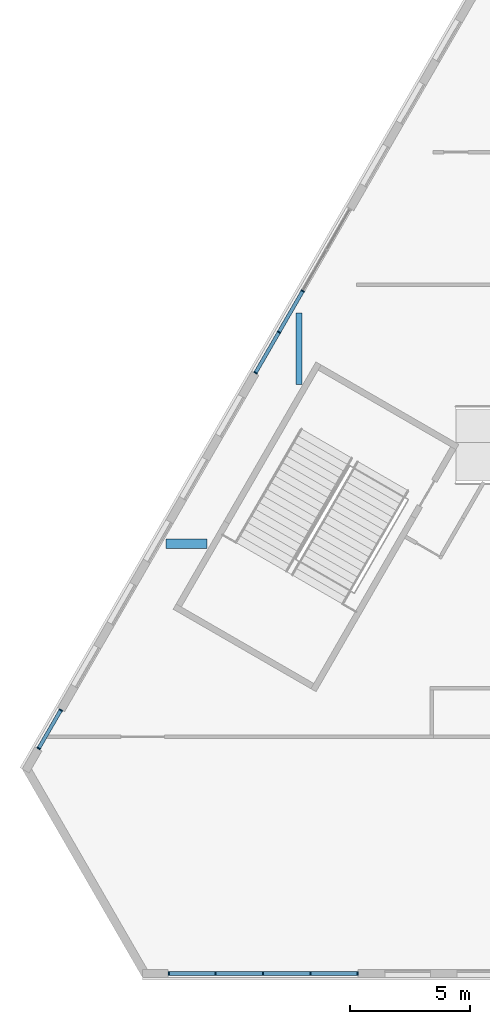
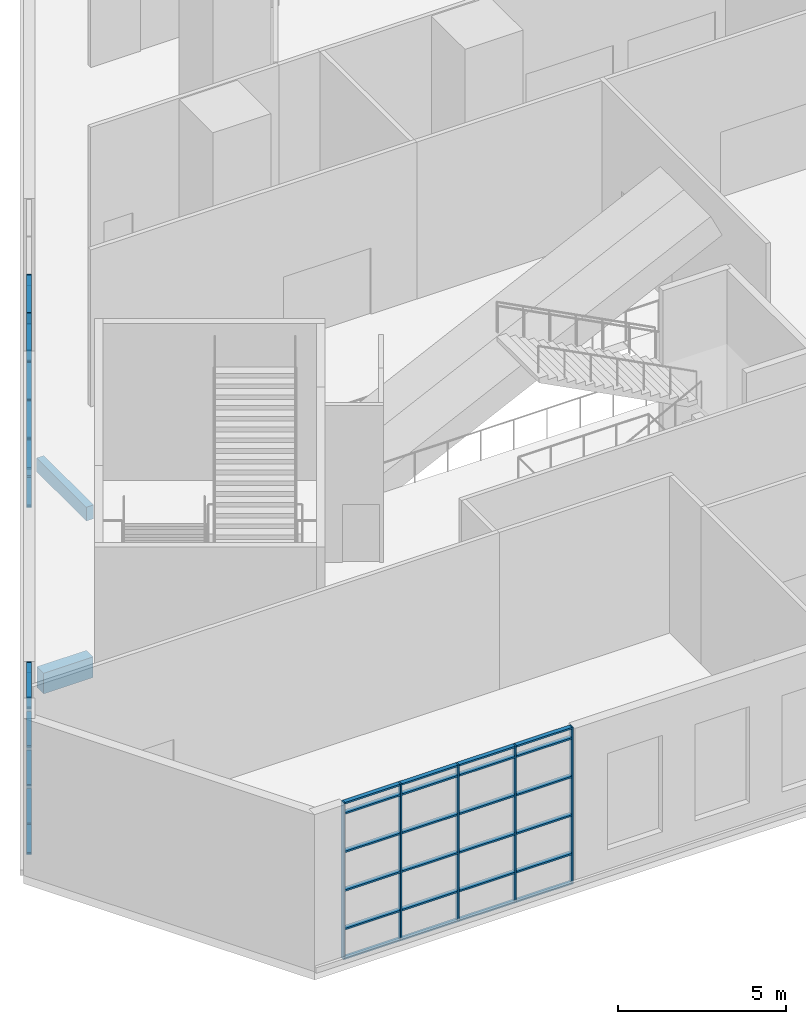
# One storey, part 2 of 27: 52 members, 2 beams, 3 elements without a shape of their own.
"""IFC4 building model written with IfcOpenShell, lengths in metres."""

from ifc_helpers import new_model, si_unit, direction, frame, origin, origin_2d, place, context, subcontext, project, spatial, rectangle, extrude, material, material_profile, profile_set, type_object, element, aggregate, save


model = new_model("IFC4")

# Units and contexts
model_context = context("Model", 3, precision=1e-05, world=origin(), true_north=direction((0.0, 1.0)))
body_context = subcontext(model_context, "Body", "Model", "MODEL_VIEW")
ifc_project = project(units=[si_unit("LENGTHUNIT", "METRE"), si_unit("AREAUNIT", "SQUARE_METRE"), si_unit("VOLUMEUNIT", "CUBIC_METRE"), si_unit("PLANEANGLEUNIT", "RADIAN"), si_unit("MASSUNIT", "GRAM", prefix="KILO")], contexts=[model_context])

# Site, building, storey
site_placement = place(None, origin())
site = spatial("IfcSite", under=ifc_project, at=site_placement, CompositionType="ELEMENT")
building_placement = place(site_placement, origin())
building = spatial("IfcBuilding", under=site, at=building_placement, Name="Fogline Exchange Tower", CompositionType="ELEMENT")
storey_placement = place(building_placement, frame((0.0, 0.0, 8.0)))
storey = spatial("IfcBuildingStorey", under=building, at=storey_placement, Name="L01", CompositionType="ELEMENT", Elevation=8.0)

# Beams
ifc_material_1 = material(Name="Concrete C40", Category="concrete")
ifc_material_profile_1 = material_profile(ifc_material_1, rectangle(XDim=0.39990234375, YDim=0.75, at=origin_2d()), Name="RC 400x750")
ifc_profile_set_1 = profile_set([ifc_material_profile_1], Name="Concrete C40")
beam_type_1 = type_object("IfcBeamType", Name="B05", PredefinedType="BEAM", material=ifc_profile_set_1)
beam_1_placement = place(storey_placement, frame((-37.0302734375, 18.0, -0.675048828125), z_axis=(1.0, 0.0, 0.0), x_axis=(0.0, 1.0, 0.0)))
element("IfcBeam", 1, at=beam_1_placement, inside=storey, type_object=beam_type_1, Name="GB003", PredefinedType="BEAM", context=body_context, shape_type="SweptSolid", body=[
    extrude(rectangle(XDim=0.39990234375, YDim=0.75, at=origin_2d()), origin(), (0.0, 0.0, 1.0), 1.702880859375),
])
ifc_material_profile_2 = material_profile(ifc_material_1, rectangle(XDim=0.25, YDim=0.5, at=origin_2d()), Name="RC 250x500")
ifc_profile_set_2 = profile_set([ifc_material_profile_2], Name="Concrete C40")
beam_type_2 = type_object("IfcBeamType", Name="B08", PredefinedType="BEAM", material=ifc_profile_set_2)
beam_2_placement = place(storey_placement, frame((-31.5, 24.619384765625, -0.550048828125), z_axis=(0.0, 1.0, 0.0), x_axis=(-1.0, 0.0, 0.0)))
element("IfcBeam", 2, at=beam_2_placement, inside=storey, type_object=beam_type_2, Name="SB006", PredefinedType="BEAM", context=body_context, shape_type="SweptSolid", body=[
    extrude(rectangle(XDim=0.25, YDim=0.5, at=origin_2d()), origin(), (0.0, 0.0, 1.0), 2.95947265625),
])

# Curtain wall, members
ifc_material_2 = material(Name="Aluminium and glass", Category="aluminium")
curtain_wall_type = type_object("IfcCurtainWallType", Name="CW3", PredefinedType="NOTDEFINED", material=ifc_material_2)
curtain_wall_1_placement = place(storey_placement, origin())
curtain_wall_1 = element("IfcCurtainWall", 3, at=curtain_wall_1_placement, inside=storey, type_object=curtain_wall_type, Name="CW3 L01 S run 1", PredefinedType="NOTDEFINED")
ifc_material_3 = material(Name="Aluminium", Category="aluminium")
ifc_material_profile_3 = material_profile(ifc_material_3, rectangle(XDim=0.14990234375, YDim=0.050048828125, at=origin_2d()), Name="Mullion 50x150")
ifc_profile_set_3 = profile_set([ifc_material_profile_3], Name="Aluminium")
member_type_1 = type_object("IfcMemberType", Name="CW3-M", PredefinedType="MULLION", material=ifc_profile_set_3)
member_1_placement = place(storey_placement, frame((-36.91748046875, 0.169921875, 0.0), z_axis=(0.0, 0.0, 1.0), x_axis=(0.0, 1.0, 0.0)))
member_1 = element("IfcMember", 4, at=member_1_placement, type_object=member_type_1, Name="CW3-P01-01 mullion 1", PredefinedType="MULLION", context=body_context, shape_type="SweptSolid", body=[
    extrude(rectangle(XDim=0.14990234375, YDim=0.050048828125, at=origin_2d()), origin(), (0.0, 0.0, 1.0), 5.699951171875),
])
member_2_placement = place(storey_placement, frame((-34.97119140625, 0.169921875, 0.0), z_axis=(0.0, 0.0, 1.0), x_axis=(0.0, 1.0, 0.0)))
member_2 = element("IfcMember", 5, at=member_2_placement, type_object=member_type_1, Name="CW3-P01-01 mullion 2", PredefinedType="MULLION", context=body_context, shape_type="SweptSolid", body=[
    extrude(rectangle(XDim=0.14990234375, YDim=0.050048828125, at=origin_2d()), origin(), (0.0, 0.0, 1.0), 5.699951171875),
])
member_3_placement = place(storey_placement, frame((-33.0, 0.169921875, 0.0), z_axis=(0.0, 0.0, 1.0), x_axis=(0.0, 1.0, 0.0)))
member_3 = element("IfcMember", 6, at=member_3_placement, type_object=member_type_1, Name="CW3-P01-01 mullion 3", PredefinedType="MULLION", context=body_context, shape_type="SweptSolid", body=[
    extrude(rectangle(XDim=0.14990234375, YDim=0.050048828125, at=origin_2d()), origin(), (0.0, 0.0, 1.0), 5.699951171875),
])
member_4_placement = place(storey_placement, frame((-31.02880859375, 0.169921875, 0.0), z_axis=(0.0, 0.0, 1.0), x_axis=(0.0, 1.0, 0.0)))
member_4 = element("IfcMember", 7, at=member_4_placement, type_object=member_type_1, Name="CW3-P01-01 mullion 4", PredefinedType="MULLION", context=body_context, shape_type="SweptSolid", body=[
    extrude(rectangle(XDim=0.14990234375, YDim=0.050048828125, at=origin_2d()), origin(), (0.0, 0.0, 1.0), 5.699951171875),
])
member_5_placement = place(storey_placement, frame((-29.08251953125, 0.169921875, 0.0), z_axis=(0.0, 0.0, 1.0), x_axis=(0.0, 1.0, 0.0)))
member_5 = element("IfcMember", 8, at=member_5_placement, type_object=member_type_1, Name="CW3-P01-01 mullion 5", PredefinedType="MULLION", context=body_context, shape_type="SweptSolid", body=[
    extrude(rectangle(XDim=0.14990234375, YDim=0.050048828125, at=origin_2d()), origin(), (0.0, 0.0, 1.0), 5.699951171875),
])

curtain_wall_2_placement = place(storey_placement, origin())
curtain_wall_2 = element("IfcCurtainWall", 9, at=curtain_wall_2_placement, inside=storey, type_object=curtain_wall_type, Name="CW3 L01 W run 3", PredefinedType="NOTDEFINED")
member_6_placement = place(storey_placement, frame((-31.352783203125, 28.493896484375, 0.0), z_axis=(0.0, 0.0, 1.0), x_axis=(0.866025393993, -0.500000016959, 0.0)))
member_6 = element("IfcMember", 10, at=member_6_placement, type_object=member_type_1, Name="CW3-P01-10 mullion 3", PredefinedType="MULLION", context=body_context, shape_type="SweptSolid", body=[
    extrude(rectangle(XDim=0.14990234375, YDim=0.050048828125, at=origin_2d()), origin(), (0.0, 0.0, 1.0), 5.699951171875),
])
member_7_placement = place(storey_placement, frame((-32.33837890625, 26.78662109375, 0.0), z_axis=(0.0, 0.0, 1.0), x_axis=(0.866025393993, -0.500000016959, 0.0)))
member_7 = element("IfcMember", 11, at=member_7_placement, type_object=member_type_1, Name="CW3-P01-10 mullion 4", PredefinedType="MULLION", context=body_context, shape_type="SweptSolid", body=[
    extrude(rectangle(XDim=0.14990234375, YDim=0.050048828125, at=origin_2d()), origin(), (0.0, 0.0, 1.0), 5.699951171875),
])
member_8_placement = place(storey_placement, frame((-33.3115234375, 25.10107421875, 0.0), z_axis=(0.0, 0.0, 1.0), x_axis=(0.866025393993, -0.500000016959, 0.0)))
member_8 = element("IfcMember", 12, at=member_8_placement, type_object=member_type_1, Name="CW3-P01-10 mullion 5", PredefinedType="MULLION", context=body_context, shape_type="SweptSolid", body=[
    extrude(rectangle(XDim=0.14990234375, YDim=0.050048828125, at=origin_2d()), origin(), (0.0, 0.0, 1.0), 5.699951171875),
])

curtain_wall_3_placement = place(storey_placement, origin())
curtain_wall_3 = element("IfcCurtainWall", 13, at=curtain_wall_3_placement, inside=storey, type_object=curtain_wall_type, Name="CW3 L01 W run 4", PredefinedType="NOTDEFINED")
member_9_placement = place(storey_placement, frame((-41.39404296875, 11.101806640625, 0.0), z_axis=(0.0, 0.0, 1.0), x_axis=(0.866024357877, -0.500001811561, 0.0)))
member_9 = element("IfcMember", 14, at=member_9_placement, type_object=member_type_1, Name="CW3-P01-11 mullion 1", PredefinedType="MULLION", context=body_context, shape_type="SweptSolid", body=[
    extrude(rectangle(XDim=0.14990234375, YDim=0.050048828125, at=origin_2d()), origin(), (0.0, 0.0, 1.0), 5.699951171875),
])
member_10_placement = place(storey_placement, frame((-42.3115234375, 9.5126953125, 0.0), z_axis=(0.0, 0.0, 1.0), x_axis=(0.866024357877, -0.500001811561, 0.0)))
member_10 = element("IfcMember", 15, at=member_10_placement, type_object=member_type_1, Name="CW3-P01-11 mullion 2", PredefinedType="MULLION", context=body_context, shape_type="SweptSolid", body=[
    extrude(rectangle(XDim=0.14990234375, YDim=0.050048828125, at=origin_2d()), origin(), (0.0, 0.0, 1.0), 5.699951171875),
])

# Member
ifc_material_profile_4 = material_profile(ifc_material_3, rectangle(XDim=0.14990234375, YDim=0.06005859375, at=origin_2d()), Name="Transom 60x150")
ifc_profile_set_4 = profile_set([ifc_material_profile_4], Name="Aluminium")
member_type_2 = type_object("IfcMemberType", Name="CW3-T", PredefinedType="USERDEFINED", material=ifc_profile_set_4)
member_11_placement = place(storey_placement, frame((-36.892578125, 0.169921875, 0.030029296875), z_axis=(1.0, 0.0, 0.0), x_axis=(0.0, 1.0, 0.0)))
member_11 = element("IfcMember", 16, at=member_11_placement, type_object=member_type_2, Name="CW3-P01-01 transom 1.1", ObjectType="TRANSOM", PredefinedType="USERDEFINED", context=body_context, shape_type="SweptSolid", body=[
    extrude(rectangle(XDim=0.14990234375, YDim=0.06005859375, at=origin_2d()), origin(), (0.0, 0.0, 1.0), 1.896240234375),
])

member_12_placement = place(storey_placement, frame((-36.892578125, 0.169921875, 1.10009765625), z_axis=(1.0, 0.0, 0.0), x_axis=(0.0, 1.0, 0.0)))
member_12 = element("IfcMember", 17, at=member_12_placement, type_object=member_type_2, Name="CW3-P01-01 transom 1.2", ObjectType="TRANSOM", PredefinedType="USERDEFINED", context=body_context, shape_type="SweptSolid", body=[
    extrude(rectangle(XDim=0.14990234375, YDim=0.06005859375, at=origin_2d()), origin(), (0.0, 0.0, 1.0), 1.896240234375),
])

member_13_placement = place(storey_placement, frame((-36.892578125, 0.169921875, 2.5), z_axis=(1.0, 0.0, 0.0), x_axis=(0.0, 1.0, 0.0)))
member_13 = element("IfcMember", 18, at=member_13_placement, type_object=member_type_2, Name="CW3-P01-01 transom 1.3", ObjectType="TRANSOM", PredefinedType="USERDEFINED", context=body_context, shape_type="SweptSolid", body=[
    extrude(rectangle(XDim=0.14990234375, YDim=0.06005859375, at=origin_2d()), origin(), (0.0, 0.0, 1.0), 1.896240234375),
])

member_14_placement = place(storey_placement, frame((-36.892578125, 0.169921875, 3.89990234375), z_axis=(1.0, 0.0, 0.0), x_axis=(0.0, 1.0, 0.0)))
member_14 = element("IfcMember", 19, at=member_14_placement, type_object=member_type_2, Name="CW3-P01-01 transom 1.4", ObjectType="TRANSOM", PredefinedType="USERDEFINED", context=body_context, shape_type="SweptSolid", body=[
    extrude(rectangle(XDim=0.14990234375, YDim=0.06005859375, at=origin_2d()), origin(), (0.0, 0.0, 1.0), 1.896240234375),
])

member_15_placement = place(storey_placement, frame((-36.892578125, 0.169921875, 5.300048828125), z_axis=(1.0, 0.0, 0.0), x_axis=(0.0, 1.0, 0.0)))
member_15 = element("IfcMember", 20, at=member_15_placement, type_object=member_type_2, Name="CW3-P01-01 transom 1.5", ObjectType="TRANSOM", PredefinedType="USERDEFINED", context=body_context, shape_type="SweptSolid", body=[
    extrude(rectangle(XDim=0.14990234375, YDim=0.06005859375, at=origin_2d()), origin(), (0.0, 0.0, 1.0), 1.896240234375),
])

member_16_placement = place(storey_placement, frame((-36.892578125, 0.169921875, 5.669921875), z_axis=(1.0, 0.0, 0.0), x_axis=(0.0, 1.0, 0.0)))
member_16 = element("IfcMember", 21, at=member_16_placement, type_object=member_type_2, Name="CW3-P01-01 transom 1.6", ObjectType="TRANSOM", PredefinedType="USERDEFINED", context=body_context, shape_type="SweptSolid", body=[
    extrude(rectangle(XDim=0.14990234375, YDim=0.06005859375, at=origin_2d()), origin(), (0.0, 0.0, 1.0), 1.896240234375),
])

member_17_placement = place(storey_placement, frame((-34.9462890625, 0.169921875, 0.030029296875), z_axis=(1.0, 0.0, 0.0), x_axis=(0.0, 1.0, 0.0)))
member_17 = element("IfcMember", 22, at=member_17_placement, type_object=member_type_2, Name="CW3-P01-01 transom 2.1", ObjectType="TRANSOM", PredefinedType="USERDEFINED", context=body_context, shape_type="SweptSolid", body=[
    extrude(rectangle(XDim=0.14990234375, YDim=0.06005859375, at=origin_2d()), origin(), (0.0, 0.0, 1.0), 1.92138671875),
])

member_18_placement = place(storey_placement, frame((-34.9462890625, 0.169921875, 1.10009765625), z_axis=(1.0, 0.0, 0.0), x_axis=(0.0, 1.0, 0.0)))
member_18 = element("IfcMember", 23, at=member_18_placement, type_object=member_type_2, Name="CW3-P01-01 transom 2.2", ObjectType="TRANSOM", PredefinedType="USERDEFINED", context=body_context, shape_type="SweptSolid", body=[
    extrude(rectangle(XDim=0.14990234375, YDim=0.06005859375, at=origin_2d()), origin(), (0.0, 0.0, 1.0), 1.92138671875),
])

member_19_placement = place(storey_placement, frame((-34.9462890625, 0.169921875, 2.5), z_axis=(1.0, 0.0, 0.0), x_axis=(0.0, 1.0, 0.0)))
member_19 = element("IfcMember", 24, at=member_19_placement, type_object=member_type_2, Name="CW3-P01-01 transom 2.3", ObjectType="TRANSOM", PredefinedType="USERDEFINED", context=body_context, shape_type="SweptSolid", body=[
    extrude(rectangle(XDim=0.14990234375, YDim=0.06005859375, at=origin_2d()), origin(), (0.0, 0.0, 1.0), 1.92138671875),
])

member_20_placement = place(storey_placement, frame((-34.9462890625, 0.169921875, 3.89990234375), z_axis=(1.0, 0.0, 0.0), x_axis=(0.0, 1.0, 0.0)))
member_20 = element("IfcMember", 25, at=member_20_placement, type_object=member_type_2, Name="CW3-P01-01 transom 2.4", ObjectType="TRANSOM", PredefinedType="USERDEFINED", context=body_context, shape_type="SweptSolid", body=[
    extrude(rectangle(XDim=0.14990234375, YDim=0.06005859375, at=origin_2d()), origin(), (0.0, 0.0, 1.0), 1.92138671875),
])

member_21_placement = place(storey_placement, frame((-34.9462890625, 0.169921875, 5.300048828125), z_axis=(1.0, 0.0, 0.0), x_axis=(0.0, 1.0, 0.0)))
member_21 = element("IfcMember", 26, at=member_21_placement, type_object=member_type_2, Name="CW3-P01-01 transom 2.5", ObjectType="TRANSOM", PredefinedType="USERDEFINED", context=body_context, shape_type="SweptSolid", body=[
    extrude(rectangle(XDim=0.14990234375, YDim=0.06005859375, at=origin_2d()), origin(), (0.0, 0.0, 1.0), 1.92138671875),
])

member_22_placement = place(storey_placement, frame((-34.9462890625, 0.169921875, 5.669921875), z_axis=(1.0, 0.0, 0.0), x_axis=(0.0, 1.0, 0.0)))
member_22 = element("IfcMember", 27, at=member_22_placement, type_object=member_type_2, Name="CW3-P01-01 transom 2.6", ObjectType="TRANSOM", PredefinedType="USERDEFINED", context=body_context, shape_type="SweptSolid", body=[
    extrude(rectangle(XDim=0.14990234375, YDim=0.06005859375, at=origin_2d()), origin(), (0.0, 0.0, 1.0), 1.92138671875),
])

member_23_placement = place(storey_placement, frame((-32.97509765625, 0.169921875, 0.030029296875), z_axis=(1.0, 0.0, 0.0), x_axis=(0.0, 1.0, 0.0)))
member_23 = element("IfcMember", 28, at=member_23_placement, type_object=member_type_2, Name="CW3-P01-01 transom 3.1", ObjectType="TRANSOM", PredefinedType="USERDEFINED", context=body_context, shape_type="SweptSolid", body=[
    extrude(rectangle(XDim=0.14990234375, YDim=0.06005859375, at=origin_2d()), origin(), (0.0, 0.0, 1.0), 1.92138671875),
])

member_24_placement = place(storey_placement, frame((-32.97509765625, 0.169921875, 1.10009765625), z_axis=(1.0, 0.0, 0.0), x_axis=(0.0, 1.0, 0.0)))
member_24 = element("IfcMember", 29, at=member_24_placement, type_object=member_type_2, Name="CW3-P01-01 transom 3.2", ObjectType="TRANSOM", PredefinedType="USERDEFINED", context=body_context, shape_type="SweptSolid", body=[
    extrude(rectangle(XDim=0.14990234375, YDim=0.06005859375, at=origin_2d()), origin(), (0.0, 0.0, 1.0), 1.92138671875),
])

member_25_placement = place(storey_placement, frame((-32.97509765625, 0.169921875, 2.5), z_axis=(1.0, 0.0, 0.0), x_axis=(0.0, 1.0, 0.0)))
member_25 = element("IfcMember", 30, at=member_25_placement, type_object=member_type_2, Name="CW3-P01-01 transom 3.3", ObjectType="TRANSOM", PredefinedType="USERDEFINED", context=body_context, shape_type="SweptSolid", body=[
    extrude(rectangle(XDim=0.14990234375, YDim=0.06005859375, at=origin_2d()), origin(), (0.0, 0.0, 1.0), 1.92138671875),
])

member_26_placement = place(storey_placement, frame((-32.97509765625, 0.169921875, 3.89990234375), z_axis=(1.0, 0.0, 0.0), x_axis=(0.0, 1.0, 0.0)))
member_26 = element("IfcMember", 31, at=member_26_placement, type_object=member_type_2, Name="CW3-P01-01 transom 3.4", ObjectType="TRANSOM", PredefinedType="USERDEFINED", context=body_context, shape_type="SweptSolid", body=[
    extrude(rectangle(XDim=0.14990234375, YDim=0.06005859375, at=origin_2d()), origin(), (0.0, 0.0, 1.0), 1.92138671875),
])

member_27_placement = place(storey_placement, frame((-32.97509765625, 0.169921875, 5.300048828125), z_axis=(1.0, 0.0, 0.0), x_axis=(0.0, 1.0, 0.0)))
member_27 = element("IfcMember", 32, at=member_27_placement, type_object=member_type_2, Name="CW3-P01-01 transom 3.5", ObjectType="TRANSOM", PredefinedType="USERDEFINED", context=body_context, shape_type="SweptSolid", body=[
    extrude(rectangle(XDim=0.14990234375, YDim=0.06005859375, at=origin_2d()), origin(), (0.0, 0.0, 1.0), 1.92138671875),
])

member_28_placement = place(storey_placement, frame((-32.97509765625, 0.169921875, 5.669921875), z_axis=(1.0, 0.0, 0.0), x_axis=(0.0, 1.0, 0.0)))
member_28 = element("IfcMember", 33, at=member_28_placement, type_object=member_type_2, Name="CW3-P01-01 transom 3.6", ObjectType="TRANSOM", PredefinedType="USERDEFINED", context=body_context, shape_type="SweptSolid", body=[
    extrude(rectangle(XDim=0.14990234375, YDim=0.06005859375, at=origin_2d()), origin(), (0.0, 0.0, 1.0), 1.92138671875),
])

member_29_placement = place(storey_placement, frame((-31.003662109375, 0.169921875, 0.030029296875), z_axis=(1.0, 0.0, 0.0), x_axis=(0.0, 1.0, 0.0)))
member_29 = element("IfcMember", 34, at=member_29_placement, type_object=member_type_2, Name="CW3-P01-01 transom 4.1", ObjectType="TRANSOM", PredefinedType="USERDEFINED", context=body_context, shape_type="SweptSolid", body=[
    extrude(rectangle(XDim=0.14990234375, YDim=0.06005859375, at=origin_2d()), origin(), (0.0, 0.0, 1.0), 1.896240234375),
])

member_30_placement = place(storey_placement, frame((-31.003662109375, 0.169921875, 1.10009765625), z_axis=(1.0, 0.0, 0.0), x_axis=(0.0, 1.0, 0.0)))
member_30 = element("IfcMember", 35, at=member_30_placement, type_object=member_type_2, Name="CW3-P01-01 transom 4.2", ObjectType="TRANSOM", PredefinedType="USERDEFINED", context=body_context, shape_type="SweptSolid", body=[
    extrude(rectangle(XDim=0.14990234375, YDim=0.06005859375, at=origin_2d()), origin(), (0.0, 0.0, 1.0), 1.896240234375),
])

member_31_placement = place(storey_placement, frame((-31.003662109375, 0.169921875, 2.5), z_axis=(1.0, 0.0, 0.0), x_axis=(0.0, 1.0, 0.0)))
member_31 = element("IfcMember", 36, at=member_31_placement, type_object=member_type_2, Name="CW3-P01-01 transom 4.3", ObjectType="TRANSOM", PredefinedType="USERDEFINED", context=body_context, shape_type="SweptSolid", body=[
    extrude(rectangle(XDim=0.14990234375, YDim=0.06005859375, at=origin_2d()), origin(), (0.0, 0.0, 1.0), 1.896240234375),
])

member_32_placement = place(storey_placement, frame((-31.003662109375, 0.169921875, 3.89990234375), z_axis=(1.0, 0.0, 0.0), x_axis=(0.0, 1.0, 0.0)))
member_32 = element("IfcMember", 37, at=member_32_placement, type_object=member_type_2, Name="CW3-P01-01 transom 4.4", ObjectType="TRANSOM", PredefinedType="USERDEFINED", context=body_context, shape_type="SweptSolid", body=[
    extrude(rectangle(XDim=0.14990234375, YDim=0.06005859375, at=origin_2d()), origin(), (0.0, 0.0, 1.0), 1.896240234375),
])

member_33_placement = place(storey_placement, frame((-31.003662109375, 0.169921875, 5.300048828125), z_axis=(1.0, 0.0, 0.0), x_axis=(0.0, 1.0, 0.0)))
member_33 = element("IfcMember", 38, at=member_33_placement, type_object=member_type_2, Name="CW3-P01-01 transom 4.5", ObjectType="TRANSOM", PredefinedType="USERDEFINED", context=body_context, shape_type="SweptSolid", body=[
    extrude(rectangle(XDim=0.14990234375, YDim=0.06005859375, at=origin_2d()), origin(), (0.0, 0.0, 1.0), 1.896240234375),
])

member_34_placement = place(storey_placement, frame((-31.003662109375, 0.169921875, 5.669921875), z_axis=(1.0, 0.0, 0.0), x_axis=(0.0, 1.0, 0.0)))
member_34 = element("IfcMember", 39, at=member_34_placement, type_object=member_type_2, Name="CW3-P01-01 transom 4.6", ObjectType="TRANSOM", PredefinedType="USERDEFINED", context=body_context, shape_type="SweptSolid", body=[
    extrude(rectangle(XDim=0.14990234375, YDim=0.06005859375, at=origin_2d()), origin(), (0.0, 0.0, 1.0), 1.896240234375),
])

aggregate(curtain_wall_1, [member_1, member_2, member_3, member_4, member_5, member_11, member_12, member_13, member_14, member_15, member_16, member_17, member_18, member_19, member_20, member_21, member_22, member_23, member_24, member_25, member_26, member_27, member_28, member_29, member_30, member_31, member_32, member_33, member_34])

member_35_placement = place(storey_placement, frame((-31.365234375, 28.47216796875, 0.030029296875), z_axis=(-0.500034110783, -0.866005709019, 0.0), x_axis=(0.866005709019, -0.500034110783, 0.0)))
member_35 = element("IfcMember", 40, at=member_35_placement, type_object=member_type_2, Name="CW3-P01-10 transom 3.1", ObjectType="TRANSOM", PredefinedType="USERDEFINED", context=body_context, shape_type="SweptSolid", body=[
    extrude(rectangle(XDim=0.14990234375, YDim=0.06005859375, at=origin_2d()), origin(), (0.0, 0.0, 1.0), 1.921142578125),
])

member_36_placement = place(storey_placement, frame((-31.365234375, 28.47216796875, 1.10009765625), z_axis=(-0.500034110783, -0.866005709019, 0.0), x_axis=(0.866005709019, -0.500034110783, 0.0)))
member_36 = element("IfcMember", 41, at=member_36_placement, type_object=member_type_2, Name="CW3-P01-10 transom 3.2", ObjectType="TRANSOM", PredefinedType="USERDEFINED", context=body_context, shape_type="SweptSolid", body=[
    extrude(rectangle(XDim=0.14990234375, YDim=0.06005859375, at=origin_2d()), origin(), (0.0, 0.0, 1.0), 1.921142578125),
])

member_37_placement = place(storey_placement, frame((-31.365234375, 28.47216796875, 2.5), z_axis=(-0.500034110783, -0.866005709019, 0.0), x_axis=(0.866005709019, -0.500034110783, 0.0)))
member_37 = element("IfcMember", 42, at=member_37_placement, type_object=member_type_2, Name="CW3-P01-10 transom 3.3", ObjectType="TRANSOM", PredefinedType="USERDEFINED", context=body_context, shape_type="SweptSolid", body=[
    extrude(rectangle(XDim=0.14990234375, YDim=0.06005859375, at=origin_2d()), origin(), (0.0, 0.0, 1.0), 1.921142578125),
])

member_38_placement = place(storey_placement, frame((-31.365234375, 28.47216796875, 3.89990234375), z_axis=(-0.500034110783, -0.866005709019, 0.0), x_axis=(0.866005709019, -0.500034110783, 0.0)))
member_38 = element("IfcMember", 43, at=member_38_placement, type_object=member_type_2, Name="CW3-P01-10 transom 3.4", ObjectType="TRANSOM", PredefinedType="USERDEFINED", context=body_context, shape_type="SweptSolid", body=[
    extrude(rectangle(XDim=0.14990234375, YDim=0.06005859375, at=origin_2d()), origin(), (0.0, 0.0, 1.0), 1.921142578125),
])

member_39_placement = place(storey_placement, frame((-31.365234375, 28.47216796875, 5.300048828125), z_axis=(-0.500034110783, -0.866005709019, 0.0), x_axis=(0.866005709019, -0.500034110783, 0.0)))
member_39 = element("IfcMember", 44, at=member_39_placement, type_object=member_type_2, Name="CW3-P01-10 transom 3.5", ObjectType="TRANSOM", PredefinedType="USERDEFINED", context=body_context, shape_type="SweptSolid", body=[
    extrude(rectangle(XDim=0.14990234375, YDim=0.06005859375, at=origin_2d()), origin(), (0.0, 0.0, 1.0), 1.921142578125),
])

member_40_placement = place(storey_placement, frame((-31.365234375, 28.47216796875, 5.669921875), z_axis=(-0.500034110783, -0.866005709019, 0.0), x_axis=(0.866005709019, -0.500034110783, 0.0)))
member_40 = element("IfcMember", 45, at=member_40_placement, type_object=member_type_2, Name="CW3-P01-10 transom 3.6", ObjectType="TRANSOM", PredefinedType="USERDEFINED", context=body_context, shape_type="SweptSolid", body=[
    extrude(rectangle(XDim=0.14990234375, YDim=0.06005859375, at=origin_2d()), origin(), (0.0, 0.0, 1.0), 1.921142578125),
])

member_41_placement = place(storey_placement, frame((-32.350830078125, 26.76513671875, 0.030029296875), z_axis=(-0.500015905979, -0.866016220268, 0.0), x_axis=(0.866016220268, -0.500015905979, 0.0)))
member_41 = element("IfcMember", 46, at=member_41_placement, type_object=member_type_2, Name="CW3-P01-10 transom 4.1", ObjectType="TRANSOM", PredefinedType="USERDEFINED", context=body_context, shape_type="SweptSolid", body=[
    extrude(rectangle(XDim=0.14990234375, YDim=0.06005859375, at=origin_2d()), origin(), (0.0, 0.0, 1.0), 1.896484375),
])

member_42_placement = place(storey_placement, frame((-32.350830078125, 26.76513671875, 1.10009765625), z_axis=(-0.500015905979, -0.866016220268, 0.0), x_axis=(0.866016220268, -0.500015905979, 0.0)))
member_42 = element("IfcMember", 47, at=member_42_placement, type_object=member_type_2, Name="CW3-P01-10 transom 4.2", ObjectType="TRANSOM", PredefinedType="USERDEFINED", context=body_context, shape_type="SweptSolid", body=[
    extrude(rectangle(XDim=0.14990234375, YDim=0.06005859375, at=origin_2d()), origin(), (0.0, 0.0, 1.0), 1.896484375),
])

member_43_placement = place(storey_placement, frame((-32.350830078125, 26.76513671875, 2.5), z_axis=(-0.500015905979, -0.866016220268, 0.0), x_axis=(0.866016220268, -0.500015905979, 0.0)))
member_43 = element("IfcMember", 48, at=member_43_placement, type_object=member_type_2, Name="CW3-P01-10 transom 4.3", ObjectType="TRANSOM", PredefinedType="USERDEFINED", context=body_context, shape_type="SweptSolid", body=[
    extrude(rectangle(XDim=0.14990234375, YDim=0.06005859375, at=origin_2d()), origin(), (0.0, 0.0, 1.0), 1.896484375),
])

member_44_placement = place(storey_placement, frame((-32.350830078125, 26.76513671875, 3.89990234375), z_axis=(-0.500015905979, -0.866016220268, 0.0), x_axis=(0.866016220268, -0.500015905979, 0.0)))
member_44 = element("IfcMember", 49, at=member_44_placement, type_object=member_type_2, Name="CW3-P01-10 transom 4.4", ObjectType="TRANSOM", PredefinedType="USERDEFINED", context=body_context, shape_type="SweptSolid", body=[
    extrude(rectangle(XDim=0.14990234375, YDim=0.06005859375, at=origin_2d()), origin(), (0.0, 0.0, 1.0), 1.896484375),
])

member_45_placement = place(storey_placement, frame((-32.350830078125, 26.76513671875, 5.300048828125), z_axis=(-0.500015905979, -0.866016220268, 0.0), x_axis=(0.866016220268, -0.500015905979, 0.0)))
member_45 = element("IfcMember", 50, at=member_45_placement, type_object=member_type_2, Name="CW3-P01-10 transom 4.5", ObjectType="TRANSOM", PredefinedType="USERDEFINED", context=body_context, shape_type="SweptSolid", body=[
    extrude(rectangle(XDim=0.14990234375, YDim=0.06005859375, at=origin_2d()), origin(), (0.0, 0.0, 1.0), 1.896484375),
])

member_46_placement = place(storey_placement, frame((-32.350830078125, 26.76513671875, 5.669921875), z_axis=(-0.500015905979, -0.866016220268, 0.0), x_axis=(0.866016220268, -0.500015905979, 0.0)))
member_46 = element("IfcMember", 51, at=member_46_placement, type_object=member_type_2, Name="CW3-P01-10 transom 4.6", ObjectType="TRANSOM", PredefinedType="USERDEFINED", context=body_context, shape_type="SweptSolid", body=[
    extrude(rectangle(XDim=0.14990234375, YDim=0.06005859375, at=origin_2d()), origin(), (0.0, 0.0, 1.0), 1.896484375),
])

aggregate(curtain_wall_2, [member_6, member_7, member_8, member_35, member_36, member_37, member_38, member_39, member_40, member_41, member_42, member_43, member_44, member_45, member_46])

member_47_placement = place(storey_placement, frame((-41.406494140625, 11.080322265625, 0.030029296875), z_axis=(-0.500022371132, -0.86601248742, 0.0), x_axis=(0.86601248742, -0.500022371132, 0.0)))
member_47 = element("IfcMember", 52, at=member_47_placement, type_object=member_type_2, Name="CW3-P01-11 transom 1.1", ObjectType="TRANSOM", PredefinedType="USERDEFINED", context=body_context, shape_type="SweptSolid", body=[
    extrude(rectangle(XDim=0.14990234375, YDim=0.06005859375, at=origin_2d()), origin(), (0.0, 0.0, 1.0), 1.78515625),
])

member_48_placement = place(storey_placement, frame((-41.406494140625, 11.080322265625, 1.10009765625), z_axis=(-0.500022371132, -0.86601248742, 0.0), x_axis=(0.86601248742, -0.500022371132, 0.0)))
member_48 = element("IfcMember", 53, at=member_48_placement, type_object=member_type_2, Name="CW3-P01-11 transom 1.2", ObjectType="TRANSOM", PredefinedType="USERDEFINED", context=body_context, shape_type="SweptSolid", body=[
    extrude(rectangle(XDim=0.14990234375, YDim=0.06005859375, at=origin_2d()), origin(), (0.0, 0.0, 1.0), 1.78515625),
])

member_49_placement = place(storey_placement, frame((-41.406494140625, 11.080322265625, 2.5), z_axis=(-0.500022371132, -0.86601248742, 0.0), x_axis=(0.86601248742, -0.500022371132, 0.0)))
member_49 = element("IfcMember", 54, at=member_49_placement, type_object=member_type_2, Name="CW3-P01-11 transom 1.3", ObjectType="TRANSOM", PredefinedType="USERDEFINED", context=body_context, shape_type="SweptSolid", body=[
    extrude(rectangle(XDim=0.14990234375, YDim=0.06005859375, at=origin_2d()), origin(), (0.0, 0.0, 1.0), 1.78515625),
])

member_50_placement = place(storey_placement, frame((-41.406494140625, 11.080322265625, 3.89990234375), z_axis=(-0.500022371132, -0.86601248742, 0.0), x_axis=(0.86601248742, -0.500022371132, 0.0)))
member_50 = element("IfcMember", 55, at=member_50_placement, type_object=member_type_2, Name="CW3-P01-11 transom 1.4", ObjectType="TRANSOM", PredefinedType="USERDEFINED", context=body_context, shape_type="SweptSolid", body=[
    extrude(rectangle(XDim=0.14990234375, YDim=0.06005859375, at=origin_2d()), origin(), (0.0, 0.0, 1.0), 1.78515625),
])

member_51_placement = place(storey_placement, frame((-41.406494140625, 11.080322265625, 5.300048828125), z_axis=(-0.500022371132, -0.86601248742, 0.0), x_axis=(0.86601248742, -0.500022371132, 0.0)))
member_51 = element("IfcMember", 56, at=member_51_placement, type_object=member_type_2, Name="CW3-P01-11 transom 1.5", ObjectType="TRANSOM", PredefinedType="USERDEFINED", context=body_context, shape_type="SweptSolid", body=[
    extrude(rectangle(XDim=0.14990234375, YDim=0.06005859375, at=origin_2d()), origin(), (0.0, 0.0, 1.0), 1.78515625),
])

member_52_placement = place(storey_placement, frame((-41.406494140625, 11.080322265625, 5.669921875), z_axis=(-0.500022371132, -0.86601248742, 0.0), x_axis=(0.86601248742, -0.500022371132, 0.0)))
member_52 = element("IfcMember", 57, at=member_52_placement, type_object=member_type_2, Name="CW3-P01-11 transom 1.6", ObjectType="TRANSOM", PredefinedType="USERDEFINED", context=body_context, shape_type="SweptSolid", body=[
    extrude(rectangle(XDim=0.14990234375, YDim=0.06005859375, at=origin_2d()), origin(), (0.0, 0.0, 1.0), 1.78515625),
])

aggregate(curtain_wall_3, [member_9, member_10, member_47, member_48, member_49, member_50, member_51, member_52])

save(model, "model.ifc")
